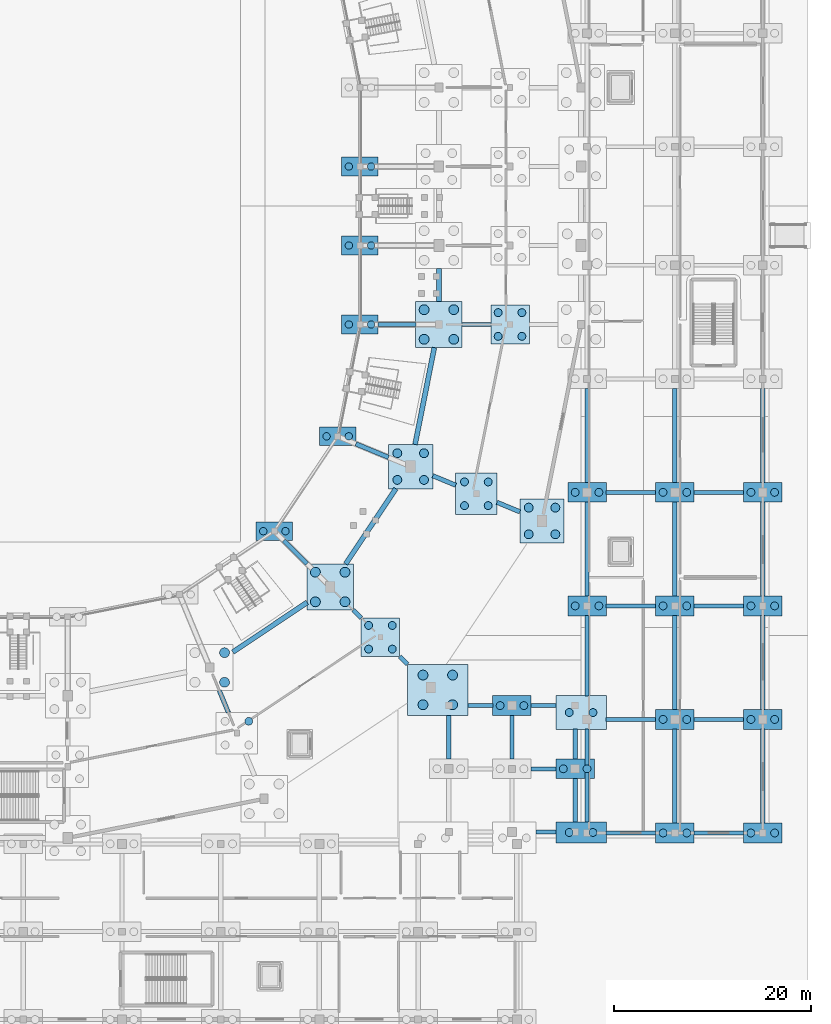
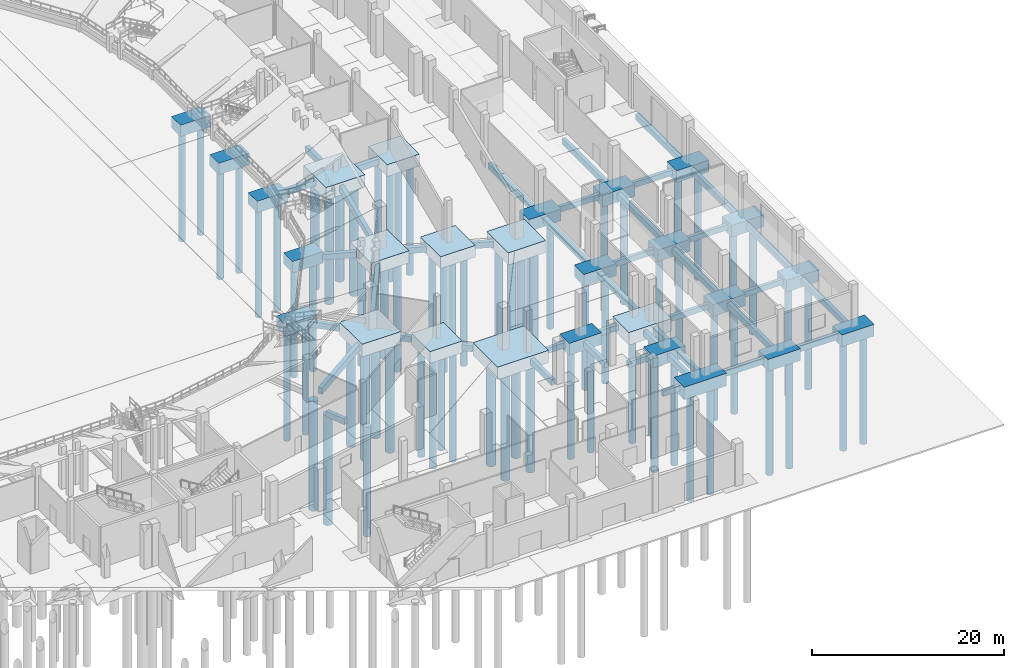
# One storey, part 7 of 68: 73 piles, 68 footings.
"""IFC4 building model written with IfcOpenShell, lengths in metres."""

import ifcopenshell
import ifcopenshell.guid

model = None  # the IFC model being written
_history = None  # IfcOwnerHistory: only IFC2X3 demands one
_inside = {}  # id of a spatial element -> (the spatial element, [elements in it])
_under = {}  # id of a project, library or spatial element -> (it, [spatial elements below it])
_declared = {}  # id of a project -> (the project, [libraries it declares])
_typed = {}  # id of a type object -> (the type object, [elements of that type])
_made_of = {}  # id of a material, layer set ... -> (it, [elements and type objects made of it])


def new_model(schema):
    """Start an empty IFC model of exactly this schema.

    Asked for "IFC4X3", IfcOpenShell would pick the latest addendum, in which some entities
    have other attributes; the version numbers below select the first issue.
    IFC2X3 requires an IfcOwnerHistory on every rooted entity: one is made here for all.
    """
    global model, _history
    if schema == "IFC4X3":
        model = ifcopenshell.file(schema_version=(4, 3, 0, 0))
    else:
        model = ifcopenshell.file(schema=schema)
    _inside.clear()
    _under.clear()
    _declared.clear()
    _typed.clear()
    _made_of.clear()
    _history = None
    if model.schema == "IFC2X3":
        org = make("IfcOrganization", Name="unknown")
        user = make(
            "IfcPersonAndOrganization",
            ThePerson=make("IfcPerson", FamilyName="unknown"),
            TheOrganization=org,
        )
        app = make(
            "IfcApplication",
            ApplicationDeveloper=org,
            Version="unknown",
            ApplicationFullName="unknown",
            ApplicationIdentifier="unknown",
        )
        _history = make(
            "IfcOwnerHistory",
            OwningUser=user,
            OwningApplication=app,
            ChangeAction="ADDED",
            CreationDate=0,
        )
    return model


def make(cls, **values):
    """One entity of the class cls with the attributes given. An attribute that is None is left unset."""
    return model.create_entity(
        cls, **{name: value for name, value in values.items() if value is not None}
    )


def rooted(cls, **values):
    """An entity with a GlobalId (a new one), such as an element, a storey or a relation."""
    return make(cls, GlobalId=ifcopenshell.guid.new(), OwnerHistory=_history, **values)


def si_unit(unit_type, name, prefix=None):
    """IfcSIUnit, for example si_unit("LENGTHUNIT", "METRE", prefix="MILLI")."""
    return make("IfcSIUnit", UnitType=unit_type, Prefix=prefix, Name=name)


def assignment(units):
    """IfcUnitAssignment: the units of a project."""
    return None if units is None else make("IfcUnitAssignment", Units=units)


def point(xyz):
    """IfcCartesianPoint."""
    return None if xyz is None else make("IfcCartesianPoint", Coordinates=xyz)


def direction(xyz):
    """IfcDirection."""
    return None if xyz is None else make("IfcDirection", DirectionRatios=xyz)


def frame(location, z_axis=None, x_axis=None):
    """IfcAxis2Placement3D, a coordinate frame: its origin and axes. An axis left out is left unset."""
    return make(
        "IfcAxis2Placement3D",
        Location=point(location),
        Axis=direction(z_axis),
        RefDirection=direction(x_axis),
    )


def frame_2d(location, x_axis=None):
    """IfcAxis2Placement2D, a coordinate frame in the plane: its origin and x axis."""
    return make(
        "IfcAxis2Placement2D", Location=point(location), RefDirection=direction(x_axis)
    )


def origin():
    """The frame at (0, 0, 0) with its axes left unset."""
    return frame((0.0, 0.0, 0.0))


def origin_2d():
    """The frame at (0, 0) in the plane with its x axis left unset."""
    return frame_2d((0.0, 0.0))


def place(relative_to, where):
    """IfcLocalPlacement: puts the frame where relative to a parent placement (None: the world)."""
    return make(
        "IfcLocalPlacement", PlacementRelTo=relative_to, RelativePlacement=where
    )


def context(
    kind, dimensions, precision=None, world=None, true_north=None, identifier=None
):
    """IfcGeometricRepresentationContext, for example the 3D "Model" context."""
    return make(
        "IfcGeometricRepresentationContext",
        ContextIdentifier=identifier,
        ContextType=kind,
        CoordinateSpaceDimension=dimensions,
        Precision=precision,
        WorldCoordinateSystem=world,
        TrueNorth=true_north,
    )


def subcontext(parent, identifier, kind, view, scale=None):
    """IfcGeometricRepresentationSubContext, for example "Body" below "Model"."""
    return make(
        "IfcGeometricRepresentationSubContext",
        ContextIdentifier=identifier,
        ContextType=kind,
        ParentContext=parent,
        TargetScale=scale,
        TargetView=view,
    )


def project(units=None, contexts=None):
    """IfcProject with its units and contexts."""
    return rooted(
        "IfcProject",
        Name="project",
        RepresentationContexts=contexts,
        UnitsInContext=assignment(units),
    )


def spatial(cls, under=None, at=None, **own):
    """A site, building, storey or space (cls), placed at a placement, below another one or the project."""
    s = rooted(cls, ObjectPlacement=at, **own)
    if under is not None:
        _under.setdefault(under.id(), (under, []))[1].append(s)
    return s


def profile(cls, at=None, kind="AREA", **sizes):
    """A parametric profile (cls). Its sizes go by their IFC names, for example OverallWidth=200.0."""
    return make(cls, ProfileType=kind, Position=at, **sizes)


def rectangle(**sizes):
    """IfcRectangleProfileDef."""
    return profile("IfcRectangleProfileDef", **sizes)


def circle(**sizes):
    """IfcCircleProfileDef."""
    return profile("IfcCircleProfileDef", **sizes)


def extrude(swept, where, along, depth):
    """IfcExtrudedAreaSolid: the profile swept, set in the frame where, extruded along a direction by depth."""
    return make(
        "IfcExtrudedAreaSolid",
        SweptArea=swept,
        Position=where,
        ExtrudedDirection=direction(along),
        Depth=depth,
    )


def shape(context_of_items, identifier, shape_type, items):
    """IfcShapeRepresentation: the items that make up one representation, for example the "Body"."""
    return make(
        "IfcShapeRepresentation",
        ContextOfItems=context_of_items,
        RepresentationIdentifier=identifier,
        RepresentationType=shape_type,
        Items=items,
    )


def material(Name=None, Category=None):
    """IfcMaterial."""
    return make("IfcMaterial", Name=Name, Category=Category)


def material_profile(
    of_material, cross_section, Name=None, Category=None, Priority=None
):
    """IfcMaterialProfile: a cross section and its material."""
    return make(
        "IfcMaterialProfile",
        Name=Name,
        Material=of_material,
        Profile=cross_section,
        Priority=Priority,
        Category=Category,
    )


def profile_set(profiles, Name=None, composite=None):
    """IfcMaterialProfileSet."""
    return make(
        "IfcMaterialProfileSet",
        Name=Name,
        MaterialProfiles=profiles,
        CompositeProfile=composite,
    )


def made_of(thing, what):
    """Note that an element or type object is made of a material, layer set ...; save() writes the relation."""
    if what is not None:
        _made_of.setdefault(what.id(), (what, []))[1].append(thing)
    return thing


def type_object(cls, material=None, **own):
    """A type object (cls), such as IfcWallType, which elements share."""
    return made_of(rooted(cls, **own), material)


def element(
    cls,
    number,
    at=None,
    inside=None,
    cuts=None,
    type_object=None,
    material=None,
    context=None,
    identifier="Body",
    shape_type=None,
    held_by="IfcProductDefinitionShape",
    body=None,
    shapes=None,
    **own,
):
    """One element of the class cls, such as IfcWall. Its Tag is "e" and its number.

    at: its placement. inside: the storey or other place that contains it. cuts: it is an
    opening in that element (IfcRelVoidsElement). A single representation is given by context,
    identifier, shape_type and body (its items); several are given by shapes. held_by: the class
    of the entity that holds the representations. save() writes the other relations.
    """
    e = rooted(cls, Tag="e%d" % number, ObjectPlacement=at, **own)
    if body is not None:
        shapes = [shape(context, identifier, shape_type, body)]
    if shapes is not None:
        e.Representation = make(held_by, Representations=shapes)
    if inside is not None:
        _inside.setdefault(inside.id(), (inside, []))[1].append(e)
    if cuts is not None:
        rooted(
            "IfcRelVoidsElement", RelatingBuildingElement=cuts, RelatedOpeningElement=e
        )
    if type_object is not None:
        _typed.setdefault(type_object.id(), (type_object, []))[1].append(e)
    return made_of(e, material)


def aggregate(whole, parts):
    """IfcRelAggregates: a whole, such as a stair, and the parts it consists of."""
    return rooted("IfcRelAggregates", RelatingObject=whole, RelatedObjects=parts)


def save(model, path):
    """Write the relations noted so far, then the file.

    IfcRelAggregates (storeys below a building ...), IfcRelContainedInSpatialStructure (elements
    in a storey), IfcRelDefinesByType, IfcRelAssociatesMaterial and IfcRelDeclares: one each for
    every whole, place, type object, material and project.
    """
    for whole, parts in _under.values():
        aggregate(whole, parts)
    for where, things in _inside.values():
        rooted(
            "IfcRelContainedInSpatialStructure",
            RelatedElements=things,
            RelatingStructure=where,
        )
    for kind, things in _typed.values():
        rooted("IfcRelDefinesByType", RelatedObjects=things, RelatingType=kind)
    for what, things in _made_of.values():
        rooted("IfcRelAssociatesMaterial", RelatedObjects=things, RelatingMaterial=what)
    for by, libraries in _declared.values():
        rooted("IfcRelDeclares", RelatingContext=by, RelatedDefinitions=libraries)
    model.write(path)


model = new_model("IFC4")

# Units and contexts
model_context = context("Model", 3, precision=1e-05, world=origin(), true_north=direction((0.0, 1.0)))
body_context = subcontext(model_context, "Body", "Model", "MODEL_VIEW")
ifc_project = project(units=[si_unit("LENGTHUNIT", "METRE"), si_unit("AREAUNIT", "SQUARE_METRE"), si_unit("VOLUMEUNIT", "CUBIC_METRE"), si_unit("PLANEANGLEUNIT", "RADIAN"), si_unit("MASSUNIT", "GRAM", prefix="KILO")], contexts=[model_context])

# Site, building, storey
site_placement = place(None, origin())
site = spatial("IfcSite", under=ifc_project, at=site_placement, CompositionType="ELEMENT")
building_placement = place(site_placement, origin())
building = spatial("IfcBuilding", under=site, at=building_placement, Name="Candeia Ridge Stadium", CompositionType="ELEMENT")
storey_placement = place(building_placement, origin())
storey = spatial("IfcBuildingStorey", under=building, at=storey_placement, Name="L00", CompositionType="ELEMENT", Elevation=0.0)

# Piles
ifc_material = material(Name="Concrete C40/50", Category="concrete")
ifc_material_profile_1 = material_profile(ifc_material, circle(Radius=0.5, at=origin_2d()), Name="PILE-D1000", Category="concrete")
ifc_profile_set_1 = profile_set([ifc_material_profile_1], Name="Concrete C40/50")
pile_type_1 = type_object("IfcPileType", Name="Bored Concrete Pile D1000", PredefinedType="BORED", material=ifc_profile_set_1)
for number, where, z_axis, x_axis, name in (
    (1, (156.888916015625, 34.76220703125, -1.39990234375), (0.0, 0.0, -1.0), (1.0, 0.0, 0.0), "Bored concrete foundation pile PILE-0356"),
    (2, (156.888916015625, 37.76220703125, -1.39990234375), (0.0, 0.0, -1.0), (1.0, 0.0, 0.0), "Bored concrete foundation pile PILE-0358"),
    (3, (166.087158203125, 42.912841796875, -1.39990234375), (0.0, 0.0, -1.0), (1.0, 0.0, 0.0), "Bored concrete foundation pile PILE-0369"),
    (4, (169.087158203125, 42.912841796875, -1.39990234375), (0.0, 0.0, -1.0), (1.0, 0.0, 0.0), "Bored concrete foundation pile PILE-0370"),
    (5, (166.087158203125, 45.912841796875, -1.39990234375), (0.0, 0.0, -1.0), (1.0, 0.0, 0.0), "Bored concrete foundation pile PILE-0371"),
    (6, (169.087158203125, 45.912841796875, -1.39990234375), (0.0, 0.0, -1.0), (1.0, 0.0, 0.0), "Bored concrete foundation pile PILE-0372"),
    (7, (176.98486328125, 32.490234375, -1.39990234375), (0.0, 0.0, -1.0), (1.0, 0.0, 0.0), "Bored concrete foundation pile PILE-0377"),
    (8, (179.98486328125, 32.490234375, -1.39990234375), (0.0, 0.0, -1.0), (1.0, 0.0, 0.0), "Bored concrete foundation pile PILE-0378"),
    (9, (176.98486328125, 35.490234375, -1.39990234375), (0.0, 0.0, -1.0), (1.0, 0.0, 0.0), "Bored concrete foundation pile PILE-0379"),
    (10, (179.98486328125, 35.490234375, -1.39990234375), (0.0, 0.0, -1.0), (1.0, 0.0, 0.0), "Bored concrete foundation pile PILE-0380"),
    (11, (177.10009765625, 69.5, -1.39990234375), (0.0, 0.0, -1.0), (1.0, 0.0, 0.0), "Bored concrete foundation pile PILE-0397"),
    (12, (180.10009765625, 69.5, -1.39990234375), (0.0, 0.0, -1.0), (1.0, 0.0, 0.0), "Bored concrete foundation pile PILE-0398"),
    (13, (177.10009765625, 72.5, -1.39990234375), (0.0, 0.0, -1.0), (1.0, 0.0, 0.0), "Bored concrete foundation pile PILE-0399"),
    (14, (180.10009765625, 72.5, -1.39990234375), (0.0, 0.0, -1.0), (1.0, 0.0, 0.0), "Bored concrete foundation pile PILE-0400"),
):
    element("IfcPile", number, at=place(storey_placement, frame(where, z_axis=z_axis, x_axis=x_axis)), inside=storey, type_object=pile_type_1, Name=name, PredefinedType="BORED", context=body_context, shape_type="SweptSolid", body=[
        extrude(circle(Radius=0.5, at=origin_2d()), origin(), (0.0, 0.0, 1.0), 14.0),
    ])
ifc_material_profile_2 = material_profile(ifc_material, circle(Radius=0.375, at=origin_2d()), Name="PILE-D750", Category="concrete")
ifc_profile_set_2 = profile_set([ifc_material_profile_2], Name="Concrete C40/50")
pile_type_2 = type_object("IfcPileType", Name="Bored Concrete Pile D750", PredefinedType="BORED", material=ifc_profile_set_2)
for number, where, z_axis, x_axis, name in (
    (15, (160.805419921875, 50.069580078125, -1.39990234375), (0.0, 0.0, -1.0), (1.0, 0.0, 0.0), "Bored concrete foundation pile PILE-0367"),
    (16, (163.055419921875, 50.069580078125, -1.39990234375), (0.0, 0.0, -1.0), (1.0, 0.0, 0.0), "Bored concrete foundation pile PILE-0368"),
    (17, (167.2216796875, 59.672607421875, -1.39990234375), (0.0, 0.0, -1.0), (1.0, 0.0, 0.0), "Bored concrete foundation pile PILE-0381"),
    (18, (169.4716796875, 59.672607421875, -1.39990234375), (0.0, 0.0, -1.0), (1.0, 0.0, 0.0), "Bored concrete foundation pile PILE-0382"),
    (19, (169.47509765625, 71.0, -1.39990234375), (0.0, 0.0, -1.0), (1.0, 0.0, 0.0), "Bored concrete foundation pile PILE-0395"),
    (20, (171.72509765625, 71.0, -1.39990234375), (0.0, 0.0, -1.0), (1.0, 0.0, 0.0), "Bored concrete foundation pile PILE-0396"),
    (21, (169.47509765625, 79.0, -1.39990234375), (0.0, 0.0, -1.0), (1.0, 0.0, 0.0), "Bored concrete foundation pile PILE-0409"),
    (22, (171.72509765625, 79.0, -1.39990234375), (0.0, 0.0, -1.0), (1.0, 0.0, 0.0), "Bored concrete foundation pile PILE-0410"),
    (23, (169.47509765625, 87.0, -1.39990234375), (0.0, 0.0, -1.0), (1.0, 0.0, 0.0), "Bored concrete foundation pile PILE-0423"),
    (24, (171.72509765625, 87.0, -1.39990234375), (0.0, 0.0, -1.0), (1.0, 0.0, 0.0), "Bored concrete foundation pile PILE-0424"),
):
    element("IfcPile", number, at=place(storey_placement, frame(where, z_axis=z_axis, x_axis=x_axis)), inside=storey, type_object=pile_type_2, Name=name, PredefinedType="BORED", context=body_context, shape_type="SweptSolid", body=[
        extrude(circle(Radius=0.375, at=origin_2d()), origin(), (0.0, 0.0, 1.0), 14.0),
    ])
ifc_material_profile_3 = material_profile(ifc_material, circle(Radius=0.39990234375, at=origin_2d()), Name="PILE-D800", Category="concrete")
ifc_profile_set_3 = profile_set([ifc_material_profile_3], Name="Concrete C40/50")
pile_type_3 = type_object("IfcPileType", Name="Bored Concrete Pile D800", PredefinedType="BORED", material=ifc_profile_set_3)
for number, where, z_axis, x_axis, name in (
    (25, (159.34423828125, 30.810302734375, -1.39990234375), (0.0, 0.0, -1.0), (1.0, 0.0, 0.0), "Bored concrete foundation pile PILE-0362"),
    (26, (171.478515625, 38.12158203125, -1.39990234375), (0.0, 0.0, -1.0), (1.0, 0.0, 0.0), "Bored concrete foundation pile PILE-0373"),
    (27, (173.87841796875, 38.12158203125, -1.39990234375), (0.0, 0.0, -1.0), (1.0, 0.0, 0.0), "Bored concrete foundation pile PILE-0374"),
    (28, (171.478515625, 40.521484375, -1.39990234375), (0.0, 0.0, -1.0), (1.0, 0.0, 0.0), "Bored concrete foundation pile PILE-0375"),
    (29, (173.87841796875, 40.521484375, -1.39990234375), (0.0, 0.0, -1.0), (1.0, 0.0, 0.0), "Bored concrete foundation pile PILE-0376"),
    (30, (181.189697265625, 52.65576171875, -1.39990234375), (0.0, 0.0, -1.0), (1.0, 0.0, 0.0), "Bored concrete foundation pile PILE-0387"),
    (31, (183.58984375, 52.65576171875, -1.39990234375), (0.0, 0.0, -1.0), (1.0, 0.0, 0.0), "Bored concrete foundation pile PILE-0388"),
    (32, (181.189697265625, 55.055908203125, -1.39990234375), (0.0, 0.0, -1.0), (1.0, 0.0, 0.0), "Bored concrete foundation pile PILE-0389"),
    (33, (183.58984375, 55.055908203125, -1.39990234375), (0.0, 0.0, -1.0), (1.0, 0.0, 0.0), "Bored concrete foundation pile PILE-0390"),
    (34, (184.60009765625, 69.800048828125, -1.39990234375), (0.0, 0.0, -1.0), (1.0, 0.0, 0.0), "Bored concrete foundation pile PILE-0401"),
    (35, (187.0, 69.800048828125, -1.39990234375), (0.0, 0.0, -1.0), (1.0, 0.0, 0.0), "Bored concrete foundation pile PILE-0402"),
    (36, (184.60009765625, 72.199951171875, -1.39990234375), (0.0, 0.0, -1.0), (1.0, 0.0, 0.0), "Bored concrete foundation pile PILE-0403"),
    (37, (187.0, 72.199951171875, -1.39990234375), (0.0, 0.0, -1.0), (1.0, 0.0, 0.0), "Bored concrete foundation pile PILE-0404"),
    (38, (191.800048828125, 19.550048828125, -1.39990234375), (0.0, 0.0, -1.0), (1.0, 0.0, 0.0), "Bored concrete foundation pile PILE-0653"),
    (39, (194.199951171875, 19.550048828125, -1.39990234375), (0.0, 0.0, -1.0), (1.0, 0.0, 0.0), "Bored concrete foundation pile PILE-0654"),
    (40, (191.800048828125, 31.699951171875, -1.39990234375), (0.0, 0.0, -1.0), (1.0, 0.0, 0.0), "Bored concrete foundation pile PILE-0655"),
    (41, (194.199951171875, 31.699951171875, -1.39990234375), (0.0, 0.0, -1.0), (1.0, 0.0, 0.0), "Bored concrete foundation pile PILE-0656"),
    (42, (192.39990234375, 42.5, -1.39990234375), (0.0, 0.0, -1.0), (1.0, 0.0, 0.0), "Bored concrete foundation pile PILE-0657"),
    (43, (194.800048828125, 42.5, -1.39990234375), (0.0, 0.0, -1.0), (1.0, 0.0, 0.0), "Bored concrete foundation pile PILE-0658"),
    (44, (192.39990234375, 54.0, -1.39990234375), (0.0, 0.0, -1.0), (1.0, 0.0, 0.0), "Bored concrete foundation pile PILE-0659"),
    (45, (194.800048828125, 54.0, -1.39990234375), (0.0, 0.0, -1.0), (1.0, 0.0, 0.0), "Bored concrete foundation pile PILE-0660"),
    (46, (201.300048828125, 19.5, -1.39990234375), (0.0, 0.0, -1.0), (1.0, 0.0, 0.0), "Bored concrete foundation pile PILE-0673"),
    (47, (203.699951171875, 19.5, -1.39990234375), (0.0, 0.0, -1.0), (1.0, 0.0, 0.0), "Bored concrete foundation pile PILE-0674"),
    (48, (201.300048828125, 31.0, -1.39990234375), (0.0, 0.0, -1.0), (1.0, 0.0, 0.0), "Bored concrete foundation pile PILE-0675"),
    (49, (203.699951171875, 31.0, -1.39990234375), (0.0, 0.0, -1.0), (1.0, 0.0, 0.0), "Bored concrete foundation pile PILE-0676"),
    (50, (201.300048828125, 42.5, -1.39990234375), (0.0, 0.0, -1.0), (1.0, 0.0, 0.0), "Bored concrete foundation pile PILE-0677"),
    (51, (203.699951171875, 42.5, -1.39990234375), (0.0, 0.0, -1.0), (1.0, 0.0, 0.0), "Bored concrete foundation pile PILE-0678"),
    (52, (201.300048828125, 54.0, -1.39990234375), (0.0, 0.0, -1.0), (1.0, 0.0, 0.0), "Bored concrete foundation pile PILE-0679"),
    (53, (203.699951171875, 54.0, -1.39990234375), (0.0, 0.0, -1.0), (1.0, 0.0, 0.0), "Bored concrete foundation pile PILE-0680"),
    (54, (210.199951171875, 19.5, -1.39990234375), (0.0, 0.0, -1.0), (1.0, 0.0, 0.0), "Bored concrete foundation pile PILE-0697"),
    (55, (212.60009765625, 19.5, -1.39990234375), (0.0, 0.0, -1.0), (1.0, 0.0, 0.0), "Bored concrete foundation pile PILE-0698"),
    (56, (210.199951171875, 31.0, -1.39990234375), (0.0, 0.0, -1.0), (1.0, 0.0, 0.0), "Bored concrete foundation pile PILE-0699"),
    (57, (212.60009765625, 31.0, -1.39990234375), (0.0, 0.0, -1.0), (1.0, 0.0, 0.0), "Bored concrete foundation pile PILE-0700"),
    (58, (210.199951171875, 42.5, -1.39990234375), (0.0, 0.0, -1.0), (1.0, 0.0, 0.0), "Bored concrete foundation pile PILE-0701"),
    (59, (212.60009765625, 42.5, -1.39990234375), (0.0, 0.0, -1.0), (1.0, 0.0, 0.0), "Bored concrete foundation pile PILE-0702"),
    (60, (210.199951171875, 54.0, -1.39990234375), (0.0, 0.0, -1.0), (1.0, 0.0, 0.0), "Bored concrete foundation pile PILE-0703"),
    (61, (212.60009765625, 54.0, -1.39990234375), (0.0, 0.0, -1.0), (1.0, 0.0, 0.0), "Bored concrete foundation pile PILE-0704"),
    (62, (184.800048828125, 32.39990234375, -1.39990234375), (0.0, 0.0, -1.0), (1.0, 0.0, 0.0), "Bored concrete foundation pile PILE-0911"),
    (63, (187.199951171875, 32.39990234375, -1.39990234375), (0.0, 0.0, -1.0), (1.0, 0.0, 0.0), "Bored concrete foundation pile PILE-0912"),
    (64, (191.199951171875, 26.0, -1.39990234375), (0.0, 0.0, -1.0), (1.0, 0.0, 0.0), "Bored concrete foundation pile PILE-0913"),
    (65, (193.60009765625, 26.0, -1.39990234375), (0.0, 0.0, -1.0), (1.0, 0.0, 0.0), "Bored concrete foundation pile PILE-0914"),
):
    element("IfcPile", number, at=place(storey_placement, frame(where, z_axis=z_axis, x_axis=x_axis)), inside=storey, type_object=pile_type_3, Name=name, PredefinedType="BORED", context=body_context, shape_type="SweptSolid", body=[
        extrude(circle(Radius=0.39990234375, at=origin_2d()), origin(), (0.0, 0.0, 1.0), 14.0),
    ])
ifc_material_profile_4 = material_profile(ifc_material, circle(Radius=0.449951171875, at=origin_2d()), Name="PILE-D900", Category="concrete")
ifc_profile_set_4 = profile_set([ifc_material_profile_4], Name="Concrete C40/50")
pile_type_4 = type_object("IfcPileType", Name="Bored Concrete Pile D900", PredefinedType="BORED", material=ifc_profile_set_4)
for number, where, z_axis, x_axis, name in (
    (66, (174.387939453125, 55.260986328125, -1.39990234375), (0.0, 0.0, -1.0), (1.0, 0.0, 0.0), "Bored concrete foundation pile PILE-0383"),
    (67, (177.087890625, 55.260986328125, -1.39990234375), (0.0, 0.0, -1.0), (1.0, 0.0, 0.0), "Bored concrete foundation pile PILE-0384"),
    (68, (174.387939453125, 57.961181640625, -1.39990234375), (0.0, 0.0, -1.0), (1.0, 0.0, 0.0), "Bored concrete foundation pile PILE-0385"),
    (69, (177.087890625, 57.961181640625, -1.39990234375), (0.0, 0.0, -1.0), (1.0, 0.0, 0.0), "Bored concrete foundation pile PILE-0386"),
    (70, (187.691650390625, 49.75048828125, -1.39990234375), (0.0, 0.0, -1.0), (1.0, 0.0, 0.0), "Bored concrete foundation pile PILE-0391"),
    (71, (190.3916015625, 49.75048828125, -1.39990234375), (0.0, 0.0, -1.0), (1.0, 0.0, 0.0), "Bored concrete foundation pile PILE-0392"),
    (72, (187.691650390625, 52.450439453125, -1.39990234375), (0.0, 0.0, -1.0), (1.0, 0.0, 0.0), "Bored concrete foundation pile PILE-0393"),
    (73, (190.3916015625, 52.450439453125, -1.39990234375), (0.0, 0.0, -1.0), (1.0, 0.0, 0.0), "Bored concrete foundation pile PILE-0394"),
):
    element("IfcPile", number, at=place(storey_placement, frame(where, z_axis=z_axis, x_axis=x_axis)), inside=storey, type_object=pile_type_4, Name=name, PredefinedType="BORED", context=body_context, shape_type="SweptSolid", body=[
        extrude(circle(Radius=0.449951171875, at=origin_2d()), origin(), (0.0, 0.0, 1.0), 14.0),
    ])

# Footings
footing_type_1 = type_object("IfcFootingType", Name="Ground Tie Beam 400x700", PredefinedType="FOOTING_BEAM", material=ifc_material)
for number, where, z_axis, x_axis, name in (
    (74, (198.050048828125, 19.5, -1.0498046875), (0.0, 0.0, 1.0), (1.0, 0.0, 0.0), "Ground tie beam GTB-0233"),
    (75, (198.050048828125, 31.0, -1.0498046875), (0.0, 0.0, 1.0), (1.0, 0.0, 0.0), "Ground tie beam GTB-0235"),
    (76, (198.050048828125, 42.5, -1.0498046875), (0.0, 0.0, 1.0), (1.0, 0.0, 0.0), "Ground tie beam GTB-0237"),
    (77, (198.050048828125, 54.0, -1.0498046875), (0.0, 0.0, 1.0), (1.0, 0.0, 0.0), "Ground tie beam GTB-0239"),
    (78, (206.949951171875, 19.5, -1.0498046875), (0.0, 0.0, 1.0), (1.0, 0.0, 0.0), "Ground tie beam GTB-0256"),
    (79, (206.949951171875, 31.0, -1.0498046875), (0.0, 0.0, 1.0), (1.0, 0.0, 0.0), "Ground tie beam GTB-0258"),
    (80, (206.949951171875, 42.5, -1.0498046875), (0.0, 0.0, 1.0), (1.0, 0.0, 0.0), "Ground tie beam GTB-0260"),
    (81, (206.949951171875, 54.0, -1.0498046875), (0.0, 0.0, 1.0), (1.0, 0.0, 0.0), "Ground tie beam GTB-0262"),
):
    element("IfcFooting", number, at=place(storey_placement, frame(where, z_axis=z_axis, x_axis=x_axis)), inside=storey, type_object=footing_type_1, Name=name, PredefinedType="FOOTING_BEAM", context=body_context, shape_type="SweptSolid", body=[
        extrude(rectangle(XDim=5.02001953125, YDim=0.39990234375, at=origin_2d()), origin(), (0.0, 0.0, 1.0), 0.699951171875),
    ])
footing_1_placement = place(storey_placement, frame((182.800048828125, 32.39990234375, -1.0498046875), z_axis=(0.0, 0.0, 1.0), x_axis=(1.0, 0.0, 0.0)))
element("IfcFooting", 82, at=footing_1_placement, inside=storey, type_object=footing_type_1, Name="Ground tie beam GTB-0465", PredefinedType="FOOTING_BEAM", context=body_context, shape_type="SweptSolid", body=[
    extrude(rectangle(XDim=2.52001953125, YDim=0.39990234375, at=origin_2d()), origin(), (0.0, 0.0, 1.0), 0.699951171875),
])
footing_2_placement = place(storey_placement, frame((189.449951171875, 19.60009765625, -1.0498046875), z_axis=(0.0, 0.0, 1.0), x_axis=(1.0, 0.0, 0.0)))
element("IfcFooting", 83, at=footing_2_placement, inside=storey, type_object=footing_type_1, Name="Ground tie beam GTB-0467", PredefinedType="FOOTING_BEAM", context=body_context, shape_type="SweptSolid", body=[
    extrude(rectangle(XDim=2.02001953125, YDim=0.39990234375, at=origin_2d()), origin(), (0.0, 0.0, 1.0), 0.699951171875),
])
for number, where, z_axis, x_axis, name in (
    (84, (189.199951171875, 26.0, -1.0498046875), (0.0, 0.0, 1.0), (1.0, 0.0, 0.0), "Ground tie beam GTB-0469"),
    (85, (189.199951171875, 32.39990234375, -1.0498046875), (0.0, 0.0, 1.0), (1.0, 0.0, 0.0), "Ground tie beam GTB-0470"),
):
    element("IfcFooting", number, at=place(storey_placement, frame(where, z_axis=z_axis, x_axis=x_axis)), inside=storey, type_object=footing_type_1, Name=name, PredefinedType="FOOTING_BEAM", context=body_context, shape_type="SweptSolid", body=[
        extrude(rectangle(XDim=2.52001953125, YDim=0.39990234375, at=origin_2d()), origin(), (0.0, 0.0, 1.0), 0.699951171875),
    ])
footing_type_2 = type_object("IfcFootingType", Name="Ground Tie Beam 450x750", PredefinedType="FOOTING_BEAM", material=ifc_material)
footing_3_placement = place(storey_placement, frame((156.818359375, 32.811279296875, -1.074951171875), z_axis=(0.0, 0.0, 1.0), x_axis=(0.382676402483, -0.923882444352, 0.0)))
element("IfcFooting", 86, at=footing_3_placement, inside=storey, type_object=footing_type_2, Name="Ground tie beam GTB-0119", PredefinedType="FOOTING_BEAM", context=body_context, shape_type="SweptSolid", body=[
    extrude(rectangle(XDim=2.4033203125, YDim=0.449951171875, at=origin_2d()), origin(), (0.0, 0.0, 1.0), 0.75),
])
footing_4_placement = place(storey_placement, frame((164.058837890625, 47.941162109375, -1.074951171875), z_axis=(0.0, 0.0, 1.0), x_axis=(0.707106781187, -0.707106781187, 0.0)))
element("IfcFooting", 87, at=footing_4_placement, inside=storey, type_object=footing_type_2, Name="Ground tie beam GTB-0122", PredefinedType="FOOTING_BEAM", context=body_context, shape_type="SweptSolid", body=[
    extrude(rectangle(XDim=3.35302734375, YDim=0.449951171875, at=origin_2d()), origin(), (0.0, 0.0, 1.0), 0.75),
])
for number, where, z_axis, x_axis, name in (
    (88, (170.332763671875, 41.667236328125, -1.074951171875), (0.0, 0.0, 1.0), (0.707106781187, -0.707106781187, 0.0), "Ground tie beam GTB-0123"),
    (89, (175.02392578125, 36.97607421875, -1.074951171875), (0.0, 0.0, 1.0), (0.707106781187, -0.707106781187, 0.0), "Ground tie beam GTB-0124"),
):
    element("IfcFooting", number, at=place(storey_placement, frame(where, z_axis=z_axis, x_axis=x_axis)), inside=storey, type_object=footing_type_2, Name=name, PredefinedType="FOOTING_BEAM", context=body_context, shape_type="SweptSolid", body=[
        extrude(rectangle(XDim=1.138916015625, YDim=0.449951171875, at=origin_2d()), origin(), (0.0, 0.0, 1.0), 0.75),
    ])
footing_5_placement = place(storey_placement, frame((171.84228515625, 58.224609375, -1.074951171875), z_axis=(0.0, 0.0, 1.0), x_axis=(0.923883459144, -0.382673952498, 0.0)))
element("IfcFooting", 90, at=footing_5_placement, inside=storey, type_object=footing_type_2, Name="Ground tie beam GTB-0126", PredefinedType="FOOTING_BEAM", context=body_context, shape_type="SweptSolid", body=[
    extrude(rectangle(XDim=3.582275390625, YDim=0.449951171875, at=origin_2d()), origin(), (0.0, 0.0, 1.0), 0.75),
])
footing_6_placement = place(storey_placement, frame((179.138916015625, 55.202392578125, -1.074951171875), z_axis=(0.0, 0.0, 1.0), x_axis=(0.92388532511, -0.382669447496, 0.0)))
element("IfcFooting", 91, at=footing_6_placement, inside=storey, type_object=footing_type_2, Name="Ground tie beam GTB-0127", PredefinedType="FOOTING_BEAM", context=body_context, shape_type="SweptSolid", body=[
    extrude(rectangle(XDim=2.511474609375, YDim=0.449951171875, at=origin_2d()), origin(), (0.0, 0.0, 1.0), 0.75),
])
footing_7_placement = place(storey_placement, frame((185.640869140625, 52.50927734375, -1.074951171875), z_axis=(0.0, 0.0, 1.0), x_axis=(0.923871248124, -0.382703432032, 0.0)))
element("IfcFooting", 92, at=footing_7_placement, inside=storey, type_object=footing_type_2, Name="Ground tie beam GTB-0128", PredefinedType="FOOTING_BEAM", context=body_context, shape_type="SweptSolid", body=[
    extrude(rectangle(XDim=2.51171875, YDim=0.449951171875, at=origin_2d()), origin(), (0.0, 0.0, 1.0), 0.75),
])
footing_8_placement = place(storey_placement, frame((174.35009765625, 71.0, -1.074951171875), z_axis=(0.0, 0.0, 1.0), x_axis=(1.0, 0.0, 0.0)))
element("IfcFooting", 93, at=footing_8_placement, inside=storey, type_object=footing_type_2, Name="Ground tie beam GTB-0131", PredefinedType="FOOTING_BEAM", context=body_context, shape_type="SweptSolid", body=[
    extrude(rectangle(XDim=3.820068359375, YDim=0.449951171875, at=origin_2d()), origin(), (0.0, 0.0, 1.0), 0.75),
])
footing_9_placement = place(storey_placement, frame((182.39990234375, 71.0, -1.074951171875), z_axis=(0.0, 0.0, 1.0), x_axis=(1.0, 0.0, 0.0)))
element("IfcFooting", 94, at=footing_9_placement, inside=storey, type_object=footing_type_2, Name="Ground tie beam GTB-0132", PredefinedType="FOOTING_BEAM", context=body_context, shape_type="SweptSolid", body=[
    extrude(rectangle(XDim=2.919921875, YDim=0.449951171875, at=origin_2d()), origin(), (0.0, 0.0, 1.0), 0.75),
])
footing_10_placement = place(storey_placement, frame((193.60009765625, 25.300048828125, -1.074951171875), z_axis=(0.0, 0.0, 1.0), x_axis=(0.0, 1.0, 0.0)))
element("IfcFooting", 95, at=footing_10_placement, inside=storey, type_object=footing_type_2, Name="Ground tie beam GTB-0232", PredefinedType="FOOTING_BEAM", context=body_context, shape_type="SweptSolid", body=[
    extrude(rectangle(XDim=9.419921875, YDim=0.449951171875, at=origin_2d()), origin(), (0.0, 0.0, 1.0), 0.75),
])
footing_11_placement = place(storey_placement, frame((193.60009765625, 37.449951171875, -1.074951171875), z_axis=(0.0, 0.0, 1.0), x_axis=(0.0, 1.0, 0.0)))
element("IfcFooting", 96, at=footing_11_placement, inside=storey, type_object=footing_type_2, Name="Ground tie beam GTB-0234", PredefinedType="FOOTING_BEAM", context=body_context, shape_type="SweptSolid", body=[
    extrude(rectangle(XDim=8.1201171875, YDim=0.449951171875, at=origin_2d()), origin(), (0.0, 0.0, 1.0), 0.75),
])
for number, where, z_axis, x_axis, name in (
    (97, (193.60009765625, 48.25, -1.074951171875), (0.0, 0.0, 1.0), (0.0, 1.0, 0.0), "Ground tie beam GTB-0236"),
    (98, (193.60009765625, 59.75, -1.074951171875), (0.0, 0.0, 1.0), (0.0, 1.0, 0.0), "Ground tie beam GTB-0238"),
    (99, (202.5, 25.25, -1.074951171875), (0.0, 0.0, 1.0), (0.0, 1.0, 0.0), "Ground tie beam GTB-0255"),
    (100, (202.5, 36.75, -1.074951171875), (0.0, 0.0, 1.0), (0.0, 1.0, 0.0), "Ground tie beam GTB-0257"),
    (101, (202.5, 48.25, -1.074951171875), (0.0, 0.0, 1.0), (0.0, 1.0, 0.0), "Ground tie beam GTB-0259"),
    (102, (202.5, 59.75, -1.074951171875), (0.0, 0.0, 1.0), (0.0, 1.0, 0.0), "Ground tie beam GTB-0261"),
    (103, (211.39990234375, 25.25, -1.074951171875), (0.0, 0.0, 1.0), (0.0, 1.0, 0.0), "Ground tie beam GTB-0278"),
    (104, (211.39990234375, 36.75, -1.074951171875), (0.0, 0.0, 1.0), (0.0, 1.0, 0.0), "Ground tie beam GTB-0279"),
    (105, (211.39990234375, 48.25, -1.074951171875), (0.0, 0.0, 1.0), (0.0, 1.0, 0.0), "Ground tie beam GTB-0280"),
    (106, (211.39990234375, 59.75, -1.074951171875), (0.0, 0.0, 1.0), (0.0, 1.0, 0.0), "Ground tie beam GTB-0281"),
):
    element("IfcFooting", number, at=place(storey_placement, frame(where, z_axis=z_axis, x_axis=x_axis)), inside=storey, type_object=footing_type_2, Name=name, PredefinedType="FOOTING_BEAM", context=body_context, shape_type="SweptSolid", body=[
        extrude(rectangle(XDim=9.52001953125, YDim=0.449951171875, at=origin_2d()), origin(), (0.0, 0.0, 1.0), 0.75),
    ])
for number, where, z_axis, x_axis, name in (
    (107, (179.60009765625, 29.199951171875, -1.074951171875), (0.0, 0.0, 1.0), (0.0, 1.0, 0.0), "Ground tie beam GTB-0463"),
    (108, (186.0, 29.199951171875, -1.074951171875), (0.0, 0.0, 1.0), (0.0, 1.0, 0.0), "Ground tie beam GTB-0468"),
    (109, (192.39990234375, 22.800048828125, -1.074951171875), (0.0, 0.0, 1.0), (0.0, 1.0, 0.0), "Ground tie beam GTB-0471"),
):
    element("IfcFooting", number, at=place(storey_placement, frame(where, z_axis=z_axis, x_axis=x_axis)), inside=storey, type_object=footing_type_2, Name=name, PredefinedType="FOOTING_BEAM", context=body_context, shape_type="SweptSolid", body=[
        extrude(rectangle(XDim=4.419921875, YDim=0.449951171875, at=origin_2d()), origin(), (0.0, 0.0, 1.0), 0.75),
    ])
footing_12_placement = place(storey_placement, frame((192.39990234375, 28.5, -1.074951171875), z_axis=(0.0, 0.0, 1.0), x_axis=(0.0, 1.0, 0.0)))
element("IfcFooting", 110, at=footing_12_placement, inside=storey, type_object=footing_type_2, Name="Ground tie beam GTB-0472", PredefinedType="FOOTING_BEAM", context=body_context, shape_type="SweptSolid", body=[
    extrude(rectangle(XDim=3.02001953125, YDim=0.449951171875, at=origin_2d()), origin(), (0.0, 0.0, 1.0), 0.75),
])
footing_type_3 = type_object("IfcFootingType", Name="Ground Tie Beam 500x800", PredefinedType="FOOTING_BEAM", material=ifc_material)
footing_13_placement = place(storey_placement, frame((161.488037109375, 40.33740234375, -1.10009765625), z_axis=(0.0, 0.0, 1.0), x_axis=(0.831469389777, 0.555570566053, 0.0)))
element("IfcFooting", 111, at=footing_13_placement, inside=storey, type_object=footing_type_3, Name="Ground tie beam GTB-0117", PredefinedType="FOOTING_BEAM", context=body_context, shape_type="SweptSolid", body=[
    extrude(rectangle(XDim=9.0380859375, YDim=0.5, at=origin_2d()), origin(), (0.0, 0.0, 1.0), 0.800048828125),
])
footing_14_placement = place(storey_placement, frame((171.696044921875, 50.56201171875, -1.10009765625), z_axis=(0.0, 0.0, 1.0), x_axis=(0.555569213197, 0.831470293726, 0.0)))
element("IfcFooting", 112, at=footing_14_placement, inside=storey, type_object=footing_type_3, Name="Ground tie beam GTB-0121", PredefinedType="FOOTING_BEAM", context=body_context, shape_type="SweptSolid", body=[
    extrude(rectangle(XDim=9.158447265625, YDim=0.5, at=origin_2d()), origin(), (0.0, 0.0, 1.0), 0.800048828125),
])
footing_15_placement = place(storey_placement, frame((177.158935546875, 63.755615234375, -1.10009765625), z_axis=(0.0, 0.0, 1.0), x_axis=(0.195087248302, 0.980785891798, 0.0)))
element("IfcFooting", 113, at=footing_15_placement, inside=storey, type_object=footing_type_3, Name="Ground tie beam GTB-0125", PredefinedType="FOOTING_BEAM", context=body_context, shape_type="SweptSolid", body=[
    extrude(rectangle(XDim=10.000732421875, YDim=0.5, at=origin_2d()), origin(), (0.0, 0.0, 1.0), 0.800048828125),
])
footing_16_placement = place(storey_placement, frame((178.60009765625, 75.0, -1.10009765625), z_axis=(0.0, 0.0, 1.0), x_axis=(0.0, 1.0, 0.0)))
element("IfcFooting", 114, at=footing_16_placement, inside=storey, type_object=footing_type_3, Name="Ground tie beam GTB-0129", PredefinedType="FOOTING_BEAM", context=body_context, shape_type="SweptSolid", body=[
    extrude(rectangle(XDim=3.320068359375, YDim=0.5, at=origin_2d()), origin(), (0.0, 0.0, 1.0), 0.800048828125),
])
footing_type_4 = type_object("IfcFootingType", Name="Pile Cap 3700x1900x1450", PredefinedType="PILE_CAP", material=ifc_material)
for number, where, z_axis, x_axis, name in (
    (115, (161.930419921875, 50.069580078125, -1.4501953125), (0.0, 0.0, 1.0), (1.0, 0.0, 0.0), "Reinforced concrete pile cap CAP-106"),
    (116, (168.346923828125, 59.672607421875, -1.4501953125), (0.0, 0.0, 1.0), (1.0, 0.0, 0.0), "Reinforced concrete pile cap CAP-110"),
    (117, (170.60009765625, 71.0, -1.4501953125), (0.0, 0.0, 1.0), (1.0, 0.0, 0.0), "Reinforced concrete pile cap CAP-114"),
    (118, (170.60009765625, 79.0, -1.4501953125), (0.0, 0.0, 1.0), (1.0, 0.0, 0.0), "Reinforced concrete pile cap CAP-118"),
    (119, (170.60009765625, 87.0, -1.4501953125), (0.0, 0.0, 1.0), (1.0, 0.0, 0.0), "Reinforced concrete pile cap CAP-122"),
):
    element("IfcFooting", number, at=place(storey_placement, frame(where, z_axis=z_axis, x_axis=x_axis)), inside=storey, type_object=footing_type_4, Name=name, PredefinedType="PILE_CAP", context=body_context, shape_type="SweptSolid", body=[
        extrude(rectangle(XDim=3.699951171875, YDim=1.89990234375, at=origin_2d()), origin(), (0.0, 0.0, 1.0), 1.449951171875),
    ])
footing_type_5 = type_object("IfcFootingType", Name="Pile Cap 3900x2000x1500", PredefinedType="PILE_CAP", material=ifc_material)
for number, where, z_axis, x_axis, name in (
    (120, (193.60009765625, 42.5, -1.5), (0.0, 0.0, 1.0), (1.0, 0.0, 0.0), "Reinforced concrete pile cap CAP-184"),
    (121, (193.60009765625, 54.0, -1.5), (0.0, 0.0, 1.0), (1.0, 0.0, 0.0), "Reinforced concrete pile cap CAP-185"),
    (122, (202.5, 19.5, -1.5), (0.0, 0.0, 1.0), (1.0, 0.0, 0.0), "Reinforced concrete pile cap CAP-192"),
    (123, (202.5, 31.0, -1.5), (0.0, 0.0, 1.0), (1.0, 0.0, 0.0), "Reinforced concrete pile cap CAP-193"),
    (124, (202.5, 42.5, -1.5), (0.0, 0.0, 1.0), (1.0, 0.0, 0.0), "Reinforced concrete pile cap CAP-194"),
    (125, (202.5, 54.0, -1.5), (0.0, 0.0, 1.0), (1.0, 0.0, 0.0), "Reinforced concrete pile cap CAP-195"),
    (126, (211.39990234375, 19.5, -1.5), (0.0, 0.0, 1.0), (1.0, 0.0, 0.0), "Reinforced concrete pile cap CAP-204"),
    (127, (211.39990234375, 31.0, -1.5), (0.0, 0.0, 1.0), (1.0, 0.0, 0.0), "Reinforced concrete pile cap CAP-205"),
    (128, (211.39990234375, 42.5, -1.5), (0.0, 0.0, 1.0), (1.0, 0.0, 0.0), "Reinforced concrete pile cap CAP-206"),
    (129, (211.39990234375, 54.0, -1.5), (0.0, 0.0, 1.0), (1.0, 0.0, 0.0), "Reinforced concrete pile cap CAP-207"),
    (130, (186.0, 32.39990234375, -1.5), (0.0, 0.0, 1.0), (1.0, 0.0, 0.0), "Reinforced concrete pile cap CAP-311"),
    (131, (192.39990234375, 26.0, -1.5), (0.0, 0.0, 1.0), (1.0, 0.0, 0.0), "Reinforced concrete pile cap CAP-312"),
):
    element("IfcFooting", number, at=place(storey_placement, frame(where, z_axis=z_axis, x_axis=x_axis)), inside=storey, type_object=footing_type_5, Name=name, PredefinedType="PILE_CAP", context=body_context, shape_type="SweptSolid", body=[
        extrude(rectangle(XDim=3.89990234375, YDim=2.0, at=origin_2d()), origin(), (0.0, 0.0, 1.0), 1.5),
    ])
footing_type_6 = type_object("IfcFootingType", Name="Pile Cap 3900x3900x1500", PredefinedType="PILE_CAP", material=ifc_material)
for number, where, z_axis, x_axis, name in (
    (132, (172.678466796875, 39.321533203125, -1.5), (0.0, 0.0, 1.0), (1.0, 0.0, 0.0), "Reinforced concrete pile cap CAP-108"),
    (133, (185.800048828125, 71.0, -1.5), (0.0, 0.0, 1.0), (1.0, 0.0, 0.0), "Reinforced concrete pile cap CAP-116"),
):
    element("IfcFooting", number, at=place(storey_placement, frame(where, z_axis=z_axis, x_axis=x_axis)), inside=storey, type_object=footing_type_6, Name=name, PredefinedType="PILE_CAP", context=body_context, shape_type="SweptSolid", body=[
        extrude(rectangle(XDim=3.89990234375, YDim=3.89990234375, at=origin_2d()), origin(), (0.0, 0.0, 1.0), 1.5),
    ])
footing_type_7 = type_object("IfcFootingType", Name="Pile Cap 4200x4200x1500", PredefinedType="PILE_CAP", material=ifc_material)
footing_17_placement = place(storey_placement, frame((182.389892578125, 53.855712890625, -1.5), z_axis=(0.0, 0.0, 1.0), x_axis=(1.0, 0.0, 0.0)))
element("IfcFooting", 134, at=footing_17_placement, inside=storey, type_object=footing_type_7, Name="Reinforced concrete pile cap CAP-112", PredefinedType="PILE_CAP", context=body_context, shape_type="SweptSolid", body=[
    extrude(rectangle(XDim=4.199951171875, YDim=4.199951171875, at=origin_2d()), origin(), (0.0, 0.0, 1.0), 1.5),
])
footing_type_8 = type_object("IfcFootingType", Name="Pile Cap 4500x4500x1550", PredefinedType="PILE_CAP", material=ifc_material)
for number, where, z_axis, x_axis, name in (
    (135, (175.73779296875, 56.611083984375, -1.5498046875), (0.0, 0.0, 1.0), (1.0, 0.0, 0.0), "Reinforced concrete pile cap CAP-111"),
    (136, (189.041748046875, 51.100341796875, -1.5498046875), (0.0, 0.0, 1.0), (1.0, 0.0, 0.0), "Reinforced concrete pile cap CAP-113"),
):
    element("IfcFooting", number, at=place(storey_placement, frame(where, z_axis=z_axis, x_axis=x_axis)), inside=storey, type_object=footing_type_8, Name=name, PredefinedType="PILE_CAP", context=body_context, shape_type="SweptSolid", body=[
        extrude(rectangle(XDim=4.5, YDim=4.5, at=origin_2d()), origin(), (0.0, 0.0, 1.0), 1.550048828125),
    ])
footing_type_9 = type_object("IfcFootingType", Name="Pile Cap 4700x4700x1600", PredefinedType="PILE_CAP", material=ifc_material)
for number, where, z_axis, x_axis, name in (
    (137, (167.587158203125, 44.412841796875, -1.60009765625), (0.0, 0.0, 1.0), (1.0, 0.0, 0.0), "Reinforced concrete pile cap CAP-107"),
    (138, (178.60009765625, 71.0, -1.60009765625), (0.0, 0.0, 1.0), (1.0, 0.0, 0.0), "Reinforced concrete pile cap CAP-115"),
):
    element("IfcFooting", number, at=place(storey_placement, frame(where, z_axis=z_axis, x_axis=x_axis)), inside=storey, type_object=footing_type_9, Name=name, PredefinedType="PILE_CAP", context=body_context, shape_type="SweptSolid", body=[
        extrude(rectangle(XDim=4.699951171875, YDim=4.699951171875, at=origin_2d()), origin(), (0.0, 0.0, 1.0), 1.60009765625),
    ])
footing_type_10 = type_object("IfcFootingType", Name="Pile Cap 5400x4200x1600", PredefinedType="PILE_CAP", material=ifc_material)
footing_18_placement = place(storey_placement, frame((193.0, 19.550048828125, -1.60009765625), z_axis=(0.0, 0.0, 1.0), x_axis=(1.0, 0.0, 0.0)))
element("IfcFooting", 139, at=footing_18_placement, inside=storey, type_object=footing_type_10, Name="Reinforced concrete pile cap CAP-182", PredefinedType="PILE_CAP", context=body_context, shape_type="SweptSolid", body=[
    extrude(rectangle(XDim=5.10009765625, YDim=2.10009765625, at=origin_2d()), origin(), (0.0, 0.0, 1.0), 1.60009765625),
])
footing_19_placement = place(storey_placement, frame((193.0, 31.699951171875, -1.60009765625), z_axis=(0.0, 0.0, 1.0), x_axis=(1.0, 0.0, 0.0)))
element("IfcFooting", 140, at=footing_19_placement, inside=storey, type_object=footing_type_10, Name="Reinforced concrete pile cap CAP-183", PredefinedType="PILE_CAP", context=body_context, shape_type="SweptSolid", body=[
    extrude(rectangle(XDim=5.10009765625, YDim=3.39990234375, at=origin_2d()), origin(), (0.0, 0.0, 1.0), 1.60009765625),
])
footing_type_11 = type_object("IfcFootingType", Name="Pile Cap 6200x4400x1600", PredefinedType="PILE_CAP", material=ifc_material)
footing_20_placement = place(storey_placement, frame((178.48486328125, 33.990234375, -1.60009765625), z_axis=(0.0, 0.0, 1.0), x_axis=(1.0, 0.0, 0.0)))
element("IfcFooting", 141, at=footing_20_placement, inside=storey, type_object=footing_type_11, Name="Reinforced concrete pile cap CAP-109", PredefinedType="PILE_CAP", context=body_context, shape_type="SweptSolid", body=[
    extrude(rectangle(XDim=6.13037109375, YDim=5.180419921875, at=origin_2d()), origin(), (0.0, 0.0, 1.0), 1.60009765625),
])

save(model, "model.ifc")
